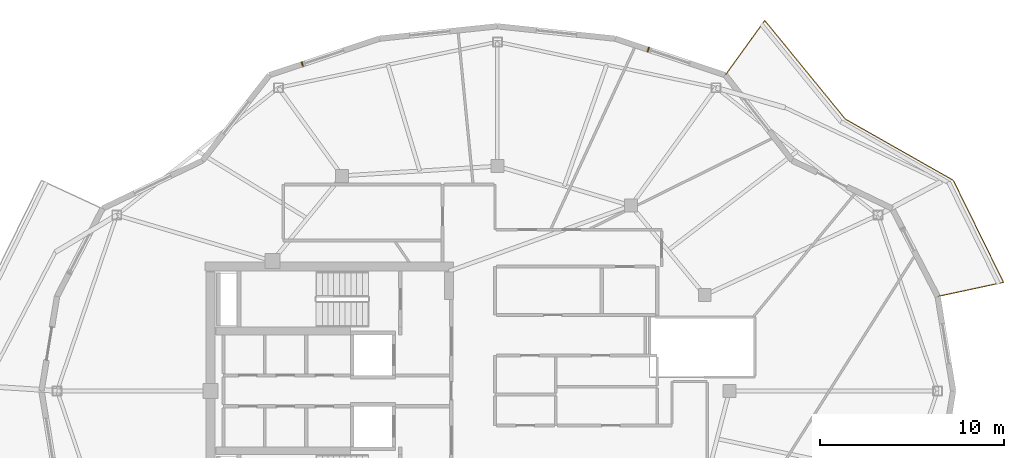
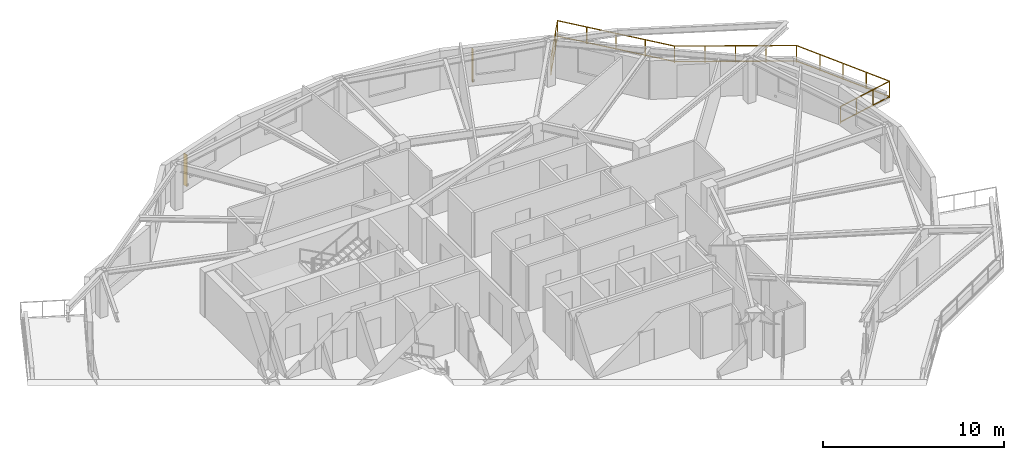
# One storey, part 10 of 10: 2 shading devices, 1 railing.
"""IFC4 building model written with IfcOpenShell, lengths in metres."""

from ifc_helpers import new_model, si_unit, direction, frame, origin, origin_2d, place, context, subcontext, project, spatial, rectangle, extrude, material, type_object, element, save


model = new_model("IFC4")

# Units and contexts
model_context = context("Model", 3, precision=1e-05, world=origin(), true_north=direction((0.0, 1.0)))
body_context = subcontext(model_context, "Body", "Model", "MODEL_VIEW")
ifc_project = project(units=[si_unit("LENGTHUNIT", "METRE"), si_unit("AREAUNIT", "SQUARE_METRE"), si_unit("VOLUMEUNIT", "CUBIC_METRE"), si_unit("PLANEANGLEUNIT", "RADIAN"), si_unit("MASSUNIT", "GRAM", prefix="KILO")], contexts=[model_context])

# Site, building, storey
site_placement = place(None, origin())
site = spatial("IfcSite", under=ifc_project, at=site_placement, CompositionType="ELEMENT")
building_placement = place(site_placement, origin())
building = spatial("IfcBuilding", under=site, at=building_placement, Name="Kolvaren Gate Tower and Convention Centre", CompositionType="ELEMENT")
storey_placement = place(building_placement, frame((0.0, 0.0, 203.0)))
storey = spatial("IfcBuildingStorey", under=building, at=storey_placement, Name="L53", CompositionType="ELEMENT", Elevation=203.0)

# Railing
ifc_material_1 = material(Name="Brushed Stainless Steel Grade 316L", Category="steel")
railing_type = type_object("IfcRailingType", Name="ARCH-RL-GUARD-1150", PredefinedType="GUARDRAIL", material=ifc_material_1)
railing_placement = place(storey_placement, frame((54.03173828125, 32.12451171875, 0.0)))
element("IfcRailing", 1, at=railing_placement, inside=storey, type_object=railing_type, Name="Tower L53 Terrace Perimeter Guardrail GR-1", PredefinedType="GUARDRAIL", context=body_context, shape_type="SweptSolid", body=[
    extrude(rectangle(XDim=0.048095703125, YDim=0.048095703125, at=origin_2d()), frame((0.02734375, 0.005859375, 1.1259765625), z_axis=(0.977788745232, 0.209592866525, 0.0), x_axis=(-0.209592866525, 0.977788745232, 0.0)), (0.0, 0.0, 1.0), 3.603759765625),
    extrude(rectangle(XDim=0.048095703125, YDim=0.048095703125, at=origin_2d()), frame((0.02734375, 0.005859375, 0.083984375), z_axis=(0.977788745232, 0.209592866525, 0.0), x_axis=(-0.209592866525, 0.977788745232, 0.0)), (0.0, 0.0, 1.0), 3.603759765625),
    extrude(rectangle(XDim=0.048095703125, YDim=0.048095703125, at=origin_2d()), frame((3.566162109375, 0.792236328125, 1.1259765625), z_axis=(-0.441625304244, 0.897199582396, 0.0), x_axis=(-0.897199582396, -0.441625304244, 0.0)), (0.0, 0.0, 1.0), 6.122314453125),
    extrude(rectangle(XDim=0.048095703125, YDim=0.048095703125, at=origin_2d()), frame((3.566162109375, 0.792236328125, 0.083984375), z_axis=(-0.441625304244, 0.897199582396, 0.0), x_axis=(-0.897199582396, -0.441625304244, 0.0)), (0.0, 0.0, 1.0), 6.122314453125),
    extrude(rectangle(XDim=0.048095703125, YDim=0.048095703125, at=origin_2d()), frame((0.82568359375, 6.32421875, 1.1259765625), z_axis=(-0.869876155964, 0.493270182846, 0.0), x_axis=(-0.493270182846, -0.869876155964, 0.0)), (0.0, 0.0, 1.0), 6.6865234375),
    extrude(rectangle(XDim=0.048095703125, YDim=0.048095703125, at=origin_2d()), frame((0.82568359375, 6.32421875, 0.083984375), z_axis=(-0.869876155964, 0.493270182846, 0.0), x_axis=(-0.493270182846, -0.869876155964, 0.0)), (0.0, 0.0, 1.0), 6.6865234375),
    extrude(rectangle(XDim=0.048095703125, YDim=0.048095703125, at=origin_2d()), frame((-5.032958984375, 9.657958984375, 1.1259765625), z_axis=(-0.632718487063, 0.77438189295, 0.0), x_axis=(-0.77438189295, -0.632718487063, 0.0)), (0.0, 0.0, 1.0), 6.858154296875),
    extrude(rectangle(XDim=0.048095703125, YDim=0.048095703125, at=origin_2d()), frame((-5.032958984375, 9.657958984375, 0.083984375), z_axis=(-0.632718487063, 0.77438189295, 0.0), x_axis=(-0.77438189295, -0.632718487063, 0.0)), (0.0, 0.0, 1.0), 6.858154296875),
    extrude(rectangle(XDim=0.048095703125, YDim=0.048095703125, at=origin_2d()), frame((-9.40625, 14.9677734375, 1.1259765625), z_axis=(-0.585212870465, -0.810879705161, 0.0), x_axis=(0.810879705161, -0.585212870465, 0.0)), (0.0, 0.0, 1.0), 3.603759765625),
    extrude(rectangle(XDim=0.048095703125, YDim=0.048095703125, at=origin_2d()), frame((-9.40625, 14.9677734375, 0.083984375), z_axis=(-0.585212870465, -0.810879705161, 0.0), x_axis=(0.810879705161, -0.585212870465, 0.0)), (0.0, 0.0, 1.0), 3.603759765625),
    extrude(rectangle(XDim=0.0419921875, YDim=0.0419921875, at=origin_2d()), origin(), (0.0, 0.0, 1.0), 1.14990234375),
    extrude(rectangle(XDim=0.0419921875, YDim=0.0419921875, at=origin_2d()), frame((3.57861328125, 0.76708984375, 0.0)), (0.0, 0.0, 1.0), 1.14990234375),
    extrude(rectangle(XDim=0.0419921875, YDim=0.0419921875, at=origin_2d()), frame((1.19287109375, 0.255615234375, 0.0)), (0.0, 0.0, 1.0), 1.099853515625),
    extrude(rectangle(XDim=0.0419921875, YDim=0.0419921875, at=origin_2d()), frame((2.3857421875, 0.511474609375, 0.0)), (0.0, 0.0, 1.0), 1.099853515625),
    extrude(rectangle(XDim=0.0419921875, YDim=0.0419921875, at=origin_2d()), frame((0.85009765625, 6.310302734375, 0.0)), (0.0, 0.0, 1.0), 1.14990234375),
    extrude(rectangle(XDim=0.0419921875, YDim=0.0419921875, at=origin_2d()), frame((2.896484375, 2.15283203125, 0.0)), (0.0, 0.0, 1.0), 1.099853515625),
    extrude(rectangle(XDim=0.0419921875, YDim=0.0419921875, at=origin_2d()), frame((2.21435546875, 3.53857421875, 0.0)), (0.0, 0.0, 1.0), 1.099853515625),
    extrude(rectangle(XDim=0.0419921875, YDim=0.0419921875, at=origin_2d()), frame((1.5322265625, 4.924560546875, 0.0)), (0.0, 0.0, 1.0), 1.099853515625),
    extrude(rectangle(XDim=0.0419921875, YDim=0.0419921875, at=origin_2d()), frame((-5.01513671875, 9.63623046875, 0.0)), (0.0, 0.0, 1.0), 1.14990234375),
    extrude(rectangle(XDim=0.0419921875, YDim=0.0419921875, at=origin_2d()), frame((-0.6162109375, 7.141845703125, 0.0)), (0.0, 0.0, 1.0), 1.099853515625),
    extrude(rectangle(XDim=0.0419921875, YDim=0.0419921875, at=origin_2d()), frame((-2.08251953125, 7.97314453125, 0.0)), (0.0, 0.0, 1.0), 1.099853515625),
    extrude(rectangle(XDim=0.0419921875, YDim=0.0419921875, at=origin_2d()), frame((-3.548828125, 8.8046875, 0.0)), (0.0, 0.0, 1.0), 1.099853515625),
    extrude(rectangle(XDim=0.0419921875, YDim=0.0419921875, at=origin_2d()), frame((-9.389892578125, 14.990478515625, 0.0)), (0.0, 0.0, 1.0), 1.14990234375),
    extrude(rectangle(XDim=0.0419921875, YDim=0.0419921875, at=origin_2d()), frame((-6.10888671875, 10.974853515625, 0.0)), (0.0, 0.0, 1.0), 1.099853515625),
    extrude(rectangle(XDim=0.0419921875, YDim=0.0419921875, at=origin_2d()), frame((-7.20263671875, 12.3134765625, 0.0)), (0.0, 0.0, 1.0), 1.099853515625),
    extrude(rectangle(XDim=0.0419921875, YDim=0.0419921875, at=origin_2d()), frame((-8.296142578125, 13.65185546875, 0.0)), (0.0, 0.0, 1.0), 1.099853515625),
    extrude(rectangle(XDim=0.0419921875, YDim=0.0419921875, at=origin_2d()), frame((-11.53173828125, 12.022705078125, 0.0)), (0.0, 0.0, 1.0), 1.14990234375),
    extrude(rectangle(XDim=0.0419921875, YDim=0.0419921875, at=origin_2d()), frame((-10.103759765625, 14.001220703125, 0.0)), (0.0, 0.0, 1.0), 1.099853515625),
    extrude(rectangle(XDim=0.0419921875, YDim=0.0419921875, at=origin_2d()), frame((-10.81787109375, 13.011962890625, 0.0)), (0.0, 0.0, 1.0), 1.099853515625),
])

# Shading devices
ifc_material_2 = material(Name="Kiln-Fired Bogota Terracotta Ceramic Louvre Profile", Category="masonry")
shading_device_type = type_object("IfcShadingDeviceType", Name="ARCH-SHD-FIN-180", PredefinedType="JALOUSIE", material=ifc_material_2)
for number, where, z_axis, x_axis, name in (
    (2, (38.319091796875, 45.53271484375, 0.219970703125), (0.0, 0.0, 1.0), (0.949241728595, -0.314547517385, 0.0), "Ceramic Vertical Brise-Soleil Fin FN-L53-04"),
    (3, (19.538330078125, 44.739990234375, 0.219970703125), (0.0, 0.0, 1.0), (0.949241728595, 0.314547517385, 0.0), "Ceramic Vertical Brise-Soleil Fin FN-L53-07"),
):
    element("IfcShadingDevice", number, at=place(storey_placement, frame(where, z_axis=z_axis, x_axis=x_axis)), inside=storey, type_object=shading_device_type, Name=name, PredefinedType="JALOUSIE", context=body_context, shape_type="SweptSolid", body=[
        extrude(rectangle(XDim=0.06005859375, YDim=0.239990234375, at=origin_2d()), origin(), (0.0, 0.0, 1.0), 2.14990234375),
    ])

save(model, "model.ifc")
